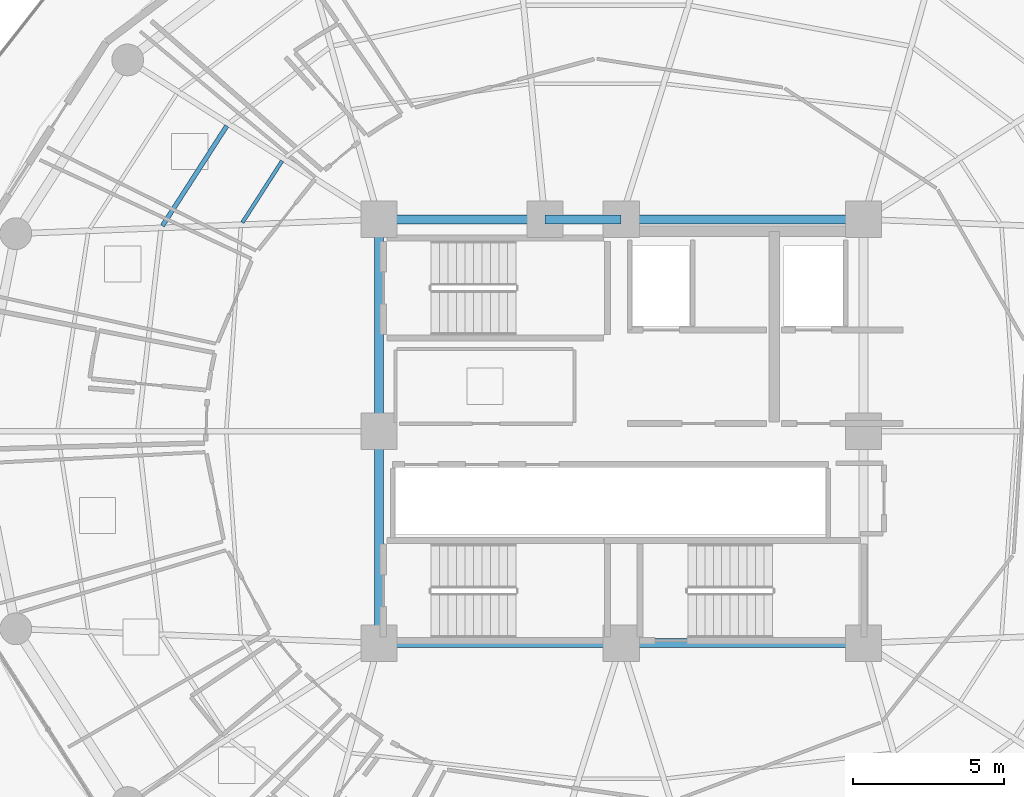
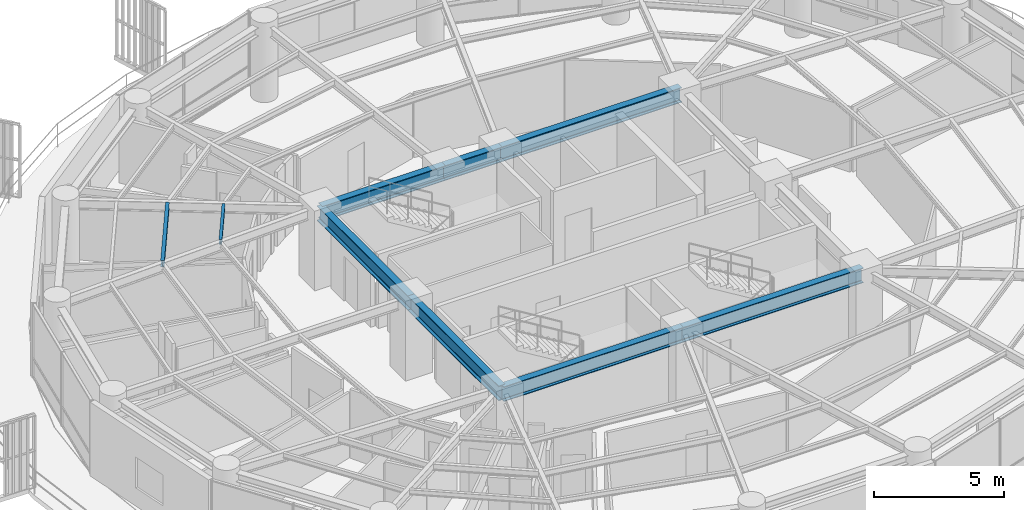
# One storey, part 9 of 30: 9 beams.
"""IFC4 building model written with IfcOpenShell, lengths in metres."""

from ifc_helpers import new_model, si_unit, direction, frame, origin, origin_2d, place, context, subcontext, project, spatial, i_section, extrude, material, material_profile, profile_set, type_object, element, save


model = new_model("IFC4")

# Units and contexts
model_context = context("Model", 3, precision=1e-05, world=origin(), true_north=direction((0.0, 1.0)))
body_context = subcontext(model_context, "Body", "Model", "MODEL_VIEW")
ifc_project = project(units=[si_unit("LENGTHUNIT", "METRE"), si_unit("AREAUNIT", "SQUARE_METRE"), si_unit("VOLUMEUNIT", "CUBIC_METRE"), si_unit("PLANEANGLEUNIT", "RADIAN"), si_unit("MASSUNIT", "GRAM", prefix="KILO")], contexts=[model_context])

# Site, building, storey
site_placement = place(None, origin())
site = spatial("IfcSite", under=ifc_project, at=site_placement, CompositionType="ELEMENT")
building_placement = place(site_placement, origin())
building = spatial("IfcBuilding", under=site, at=building_placement, Name="Kelanora Arch Commons", CompositionType="ELEMENT")
storey_placement = place(building_placement, frame((0.0, 0.0, 204.449951171875)))
storey = spatial("IfcBuildingStorey", under=building, at=storey_placement, Name="L52", CompositionType="ELEMENT", Elevation=204.449951171875)

# Beams
ifc_material = material(Name="Steel S355", Category="steel")
ifc_material_profile_1 = material_profile(ifc_material, i_section(OverallWidth=0.300048828125, OverallDepth=0.699951171875, WebThickness=0.01708984375, FlangeThickness=0.031982421875, FilletRadius=0.027099609375, at=origin_2d()), Name="HEB700")
ifc_profile_set_1 = profile_set([ifc_material_profile_1], Name="Steel S355")
beam_type_1 = type_object("IfcBeamType", Name="BM-CORE-HDR", PredefinedType="BEAM", material=ifc_profile_set_1)
for number, where, z_axis, x_axis, name in (
    (1, (66.0, 51.0, 3.14013671875), (1.0, 0.0, 0.0), (0.0, 1.0, 0.0), "Core Header Beam 01 L52"),
    (2, (74.0, 51.0, 3.14013671875), (1.0, 0.0, 0.0), (0.0, 1.0, 0.0), "Core Header Beam 02 L52"),
    (3, (82.0, 65.0, 3.14013671875), (-1.0, 0.0, 0.0), (0.0, -1.0, 0.0), "Core Header Beam 05 L52"),
):
    element("IfcBeam", number, at=place(storey_placement, frame(where, z_axis=z_axis, x_axis=x_axis)), inside=storey, type_object=beam_type_1, Name=name, PredefinedType="BEAM", context=body_context, shape_type="SweptSolid", body=[
        extrude(i_section(OverallWidth=0.300048828125, OverallDepth=0.699951171875, WebThickness=0.01708984375, FlangeThickness=0.031982421875, FilletRadius=0.027099609375, at=origin_2d()), origin(), (0.0, 0.0, 1.0), 8.0),
    ])
beam_1_placement = place(storey_placement, frame((74.0, 65.0, 3.14013671875), z_axis=(-1.0, 0.0, 0.0), x_axis=(0.0, -1.0, 0.0)))
element("IfcBeam", 4, at=beam_1_placement, inside=storey, type_object=beam_type_1, Name="Core Header Beam 06 L52", PredefinedType="BEAM", context=body_context, shape_type="SweptSolid", body=[
    extrude(i_section(OverallWidth=0.300048828125, OverallDepth=0.699951171875, WebThickness=0.01708984375, FlangeThickness=0.031982421875, FilletRadius=0.027099609375, at=origin_2d()), origin(), (0.0, 0.0, 1.0), 2.52001953125),
])
beam_2_placement = place(storey_placement, frame((71.47998046875, 65.0, 3.14013671875), z_axis=(-1.0, 0.0, 0.0), x_axis=(0.0, -1.0, 0.0)))
element("IfcBeam", 5, at=beam_2_placement, inside=storey, type_object=beam_type_1, Name="Core Header Beam 07 L52", PredefinedType="BEAM", context=body_context, shape_type="SweptSolid", body=[
    extrude(i_section(OverallWidth=0.300048828125, OverallDepth=0.699951171875, WebThickness=0.01708984375, FlangeThickness=0.031982421875, FilletRadius=0.027099609375, at=origin_2d()), origin(), (0.0, 0.0, 1.0), 5.47998046875),
])
for number, where, z_axis, x_axis, name in (
    (6, (66.0, 65.0, 3.14013671875), (0.0, -1.0, 0.0), (1.0, 0.0, 0.0), "Core Header Beam 08 L52"),
    (7, (66.0, 58.0, 3.14013671875), (0.0, -1.0, 0.0), (1.0, 0.0, 0.0), "Core Header Beam 09 L52"),
):
    element("IfcBeam", number, at=place(storey_placement, frame(where, z_axis=z_axis, x_axis=x_axis)), inside=storey, type_object=beam_type_1, Name=name, PredefinedType="BEAM", context=body_context, shape_type="SweptSolid", body=[
        extrude(i_section(OverallWidth=0.300048828125, OverallDepth=0.699951171875, WebThickness=0.01708984375, FlangeThickness=0.031982421875, FilletRadius=0.027099609375, at=origin_2d()), origin(), (0.0, 0.0, 1.0), 7.0),
    ])
ifc_material_profile_2 = material_profile(ifc_material, i_section(OverallWidth=0.14990234375, OverallDepth=0.300048828125, WebThickness=0.007080078125, FlangeThickness=0.0107421875, FilletRadius=0.014892578125, at=origin_2d()), Name="IPE300")
ifc_profile_set_2 = profile_set([ifc_material_profile_2], Name="Steel S355")
beam_type_2 = type_object("IfcBeamType", Name="BM-JST-01", PredefinedType="JOIST", material=ifc_profile_set_2)
beam_3_placement = place(storey_placement, frame((60.97314453125, 68.087158203125, 3.340087890625), z_axis=(-0.541411265892, -0.840757896879, 0.0), x_axis=(0.840757896879, -0.541411265892, 0.0)))
element("IfcBeam", 8, at=beam_3_placement, inside=storey, type_object=beam_type_2, Name="Secondary Chord Joist BJB-14 L52", PredefinedType="JOIST", context=body_context, shape_type="SweptSolid", body=[
    extrude(i_section(OverallWidth=0.14990234375, OverallDepth=0.300048828125, WebThickness=0.007080078125, FlangeThickness=0.0107421875, FilletRadius=0.014892578125, at=origin_2d()), origin(), (0.0, 0.0, 1.0), 3.92529296875),
])
ifc_material_profile_3 = material_profile(ifc_material, i_section(OverallWidth=0.1201171875, OverallDepth=0.239990234375, WebThickness=0.006103515625, FlangeThickness=0.009765625, FilletRadius=0.014892578125, at=origin_2d()), Name="IPE240")
ifc_profile_set_3 = profile_set([ifc_material_profile_3], Name="Steel S355")
beam_type_3 = type_object("IfcBeamType", Name="BM-JST-02", PredefinedType="JOIST", material=ifc_profile_set_3)
beam_4_placement = place(storey_placement, frame((62.79931640625, 66.928955078125, 3.3701171875), z_axis=(-0.541332763503, -0.840808443796, 0.0), x_axis=(0.840808443796, -0.541332763503, 0.0)))
element("IfcBeam", 9, at=beam_4_placement, inside=storey, type_object=beam_type_3, Name="Secondary Chord Joist BJA-14 L52", PredefinedType="JOIST", context=body_context, shape_type="SweptSolid", body=[
    extrude(i_section(OverallWidth=0.1201171875, OverallDepth=0.239990234375, WebThickness=0.006103515625, FlangeThickness=0.009765625, FilletRadius=0.014892578125, at=origin_2d()), origin(), (0.0, 0.0, 1.0), 2.423583984375),
])

save(model, "model.ifc")
